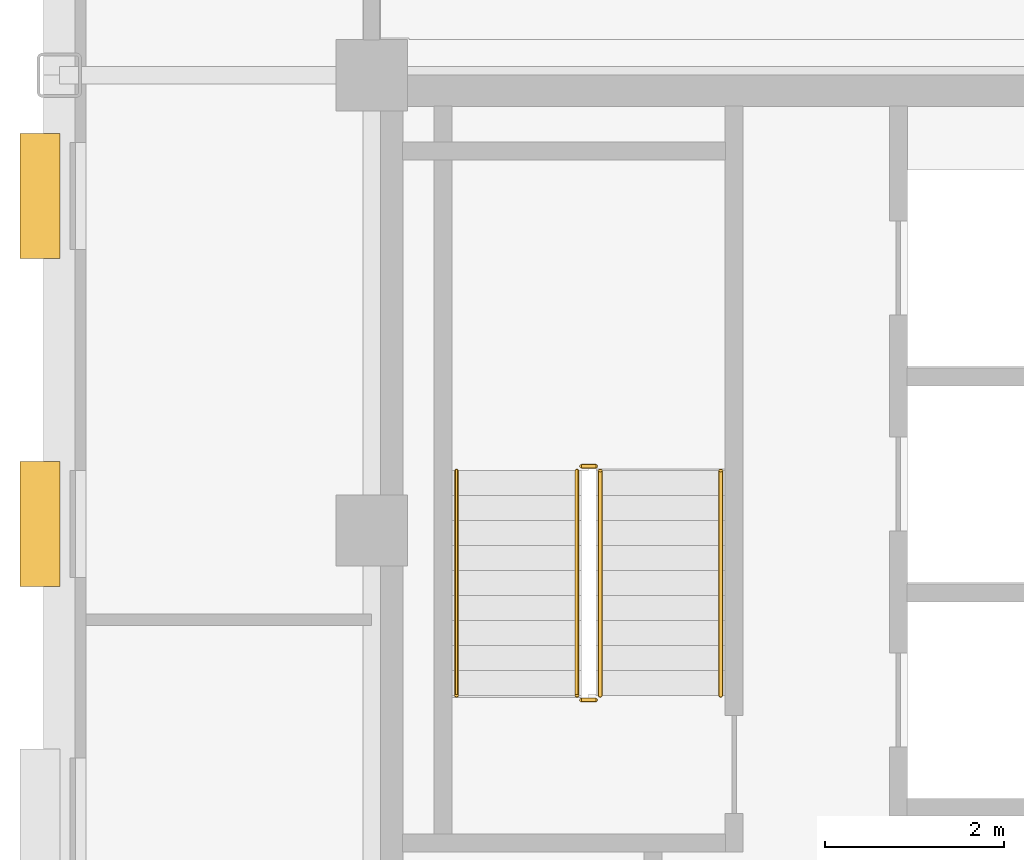
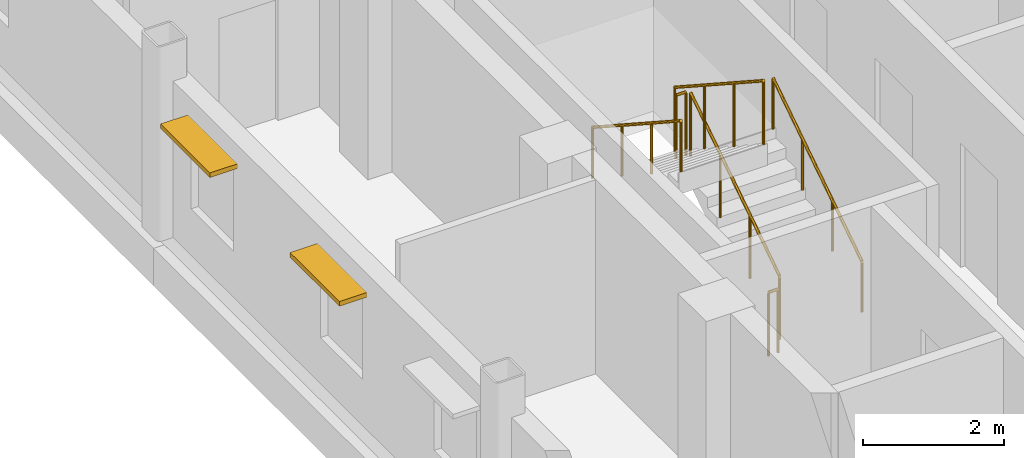
# One storey, part 11 of 13: 6 railings, 2 shading devices.
"""IFC4 building model written with IfcOpenShell, lengths in metres."""

from ifc_helpers import new_model, si_unit, direction, frame, origin, origin_2d, place, context, subcontext, project, spatial, rectangle, circle, extrude, source, transform, mapped, material, type_object, type_shapes, element, save


model = new_model("IFC4")

# Units and contexts
model_context = context("Model", 3, precision=1e-05, world=origin(), true_north=direction((0.0, 1.0)))
body_context = subcontext(model_context, "Body", "Model", "MODEL_VIEW")
ifc_project = project(units=[si_unit("LENGTHUNIT", "METRE"), si_unit("AREAUNIT", "SQUARE_METRE"), si_unit("VOLUMEUNIT", "CUBIC_METRE"), si_unit("PLANEANGLEUNIT", "RADIAN"), si_unit("MASSUNIT", "GRAM", prefix="KILO")], contexts=[model_context])

# Site, building, storey
site_placement = place(None, origin())
site = spatial("IfcSite", under=ifc_project, at=site_placement, CompositionType="ELEMENT")
building_placement = place(site_placement, origin())
building = spatial("IfcBuilding", under=site, at=building_placement, Name="Nuvemarco Arch Tower", CompositionType="ELEMENT")
storey_placement = place(building_placement, frame((0.0, 0.0, 265.25)))
storey = spatial("IfcBuildingStorey", under=building, at=storey_placement, Name="L70", CompositionType="ELEMENT", Elevation=265.25)

# Railings
ifc_material_1 = material(Name="Brushed stainless steel handrail", Category="steel")
railing_type_1 = type_object("IfcRailingType", Name="RL-HANDRAIL-900", PredefinedType="HANDRAIL", material=ifc_material_1)
railing_1_placement = place(storey_placement, frame((-13.590087890625, 2.64990234375, 0.1826171875)))
element("IfcRailing", 1, at=railing_1_placement, inside=storey, type_object=railing_type_1, Name="L70 ST-1 stair handrail 1", PredefinedType="HANDRAIL", context=body_context, shape_type="SweptSolid", body=[
    extrude(circle(Radius=0.02392578125, at=origin_2d()), frame((0.0, 0.0, 0.8759765625), z_axis=(0.0, 0.837786554691, 0.545997883492), x_axis=(-1.0, 0.0, 0.0)), (0.0, 0.0, 1.0), 3.008056640625),
    extrude(circle(Radius=0.02099609375, at=origin_2d()), origin(), (0.0, 0.0, 1.0), 0.851806640625),
    extrude(circle(Radius=0.02099609375, at=origin_2d()), frame((0.0, 0.840087890625, 0.54736328125)), (0.0, 0.0, 1.0), 0.851806640625),
    extrude(circle(Radius=0.02099609375, at=origin_2d()), frame((0.0, 1.679931640625, 1.094970703125)), (0.0, 0.0, 1.0), 0.851806640625),
    extrude(circle(Radius=0.02099609375, at=origin_2d()), frame((0.0, 2.52001953125, 1.642333984375)), (0.0, 0.0, 1.0), 0.851806640625),
])
railing_2_placement = place(storey_placement, frame((-16.550048828125, 5.169921875, 2.007568359375)))
element("IfcRailing", 2, at=railing_2_placement, inside=storey, type_object=railing_type_1, Name="L70 ST-1 stair handrail 2", PredefinedType="HANDRAIL", context=body_context, shape_type="SweptSolid", body=[
    extrude(circle(Radius=0.02392578125, at=origin_2d()), frame((0.0, 0.0, 0.8759765625), z_axis=(0.0, -0.837786554691, 0.545997883492), x_axis=(1.0, 0.0, 0.0)), (0.0, 0.0, 1.0), 3.008056640625),
    extrude(circle(Radius=0.02099609375, at=origin_2d()), origin(), (0.0, 0.0, 1.0), 0.851806640625),
    extrude(circle(Radius=0.02099609375, at=origin_2d()), frame((0.0, -0.840087890625, 0.54736328125)), (0.0, 0.0, 1.0), 0.851806640625),
    extrude(circle(Radius=0.02099609375, at=origin_2d()), frame((0.0, -1.679931640625, 1.094970703125)), (0.0, 0.0, 1.0), 0.851806640625),
    extrude(circle(Radius=0.02099609375, at=origin_2d()), frame((0.0, -2.52001953125, 1.642333984375)), (0.0, 0.0, 1.0), 0.851806640625),
])
ifc_material_2 = material(Name="Painted balustrade steel S355", Category="steel")
railing_type_2 = type_object("IfcRailingType", Name="RL-STAIR-GUARD", PredefinedType="GUARDRAIL", material=ifc_material_2)
railing_3_placement = place(storey_placement, frame((-14.93994140625, 2.64990234375, 0.1826171875)))
element("IfcRailing", 3, at=railing_3_placement, inside=storey, type_object=railing_type_2, Name="L70 ST-1 stair guard 1", PredefinedType="GUARDRAIL", context=body_context, shape_type="SweptSolid", body=[
    extrude(circle(Radius=0.02392578125, at=origin_2d()), frame((0.0, 0.0, 1.09619140625), z_axis=(0.0, 0.837786554691, 0.545997883492), x_axis=(-1.0, 0.0, 0.0)), (0.0, 0.0, 1.0), 3.008056640625),
    extrude(circle(Radius=0.02099609375, at=origin_2d()), origin(), (0.0, 0.0, 1.0), 1.072021484375),
    extrude(circle(Radius=0.02099609375, at=origin_2d()), frame((0.0, 0.840087890625, 0.54736328125)), (0.0, 0.0, 1.0), 1.072021484375),
    extrude(circle(Radius=0.02099609375, at=origin_2d()), frame((0.0, 1.679931640625, 1.094970703125)), (0.0, 0.0, 1.0), 1.072021484375),
    extrude(circle(Radius=0.02099609375, at=origin_2d()), frame((0.0, 2.52001953125, 1.642333984375)), (0.0, 0.0, 1.0), 1.072021484375),
])
railing_4_placement = place(storey_placement, frame((-14.989990234375, 5.219970703125, 1.824951171875)))
element("IfcRailing", 4, at=railing_4_placement, inside=storey, type_object=railing_type_2, Name="L70 ST-1 stair guard 2", PredefinedType="GUARDRAIL", context=body_context, shape_type="SweptSolid", body=[
    extrude(circle(Radius=0.02392578125, at=origin_2d()), frame((0.0, 0.0, 1.09619140625), z_axis=(-1.0, 0.0, 0.0), x_axis=(0.0, -1.0, 0.0)), (0.0, 0.0, 1.0), 0.159912109375),
    extrude(circle(Radius=0.02099609375, at=origin_2d()), origin(), (0.0, 0.0, 1.0), 1.072021484375),
    extrude(circle(Radius=0.02099609375, at=origin_2d()), frame((-0.159912109375, 0.0, 0.0)), (0.0, 0.0, 1.0), 1.072021484375),
])
railing_5_placement = place(storey_placement, frame((-15.199951171875, 5.169921875, 2.007568359375)))
element("IfcRailing", 5, at=railing_5_placement, inside=storey, type_object=railing_type_2, Name="L70 ST-1 stair guard 3", PredefinedType="GUARDRAIL", context=body_context, shape_type="SweptSolid", body=[
    extrude(circle(Radius=0.02392578125, at=origin_2d()), frame((0.0, 0.0, 1.09619140625), z_axis=(0.0, -0.837786554691, 0.545997883492), x_axis=(1.0, 0.0, 0.0)), (0.0, 0.0, 1.0), 3.008056640625),
    extrude(circle(Radius=0.02099609375, at=origin_2d()), origin(), (0.0, 0.0, 1.0), 1.072021484375),
    extrude(circle(Radius=0.02099609375, at=origin_2d()), frame((0.0, -0.840087890625, 0.54736328125)), (0.0, 0.0, 1.0), 1.072021484375),
    extrude(circle(Radius=0.02099609375, at=origin_2d()), frame((0.0, -1.679931640625, 1.094970703125)), (0.0, 0.0, 1.0), 1.072021484375),
    extrude(circle(Radius=0.02099609375, at=origin_2d()), frame((0.0, -2.52001953125, 1.642333984375)), (0.0, 0.0, 1.0), 1.072021484375),
])
railing_6_placement = place(storey_placement, frame((-14.989990234375, 2.60009765625, 0.0)))
element("IfcRailing", 6, at=railing_6_placement, inside=storey, type_object=railing_type_2, Name="L70 ST-1 stair guard 4", PredefinedType="GUARDRAIL", context=body_context, shape_type="SweptSolid", body=[
    extrude(circle(Radius=0.02392578125, at=origin_2d()), frame((0.0, 0.0, 1.09619140625), z_axis=(-1.0, 0.0, 0.0), x_axis=(0.0, -1.0, 0.0)), (0.0, 0.0, 1.0), 0.159912109375),
    extrude(circle(Radius=0.02099609375, at=origin_2d()), origin(), (0.0, 0.0, 1.0), 1.072021484375),
    extrude(circle(Radius=0.02099609375, at=origin_2d()), frame((-0.159912109375, 0.0, 0.0)), (0.0, 0.0, 1.0), 1.072021484375),
])

# Shading devices
ifc_material_3 = material(Name="Anodised aluminium 6063-T6", Category="aluminium")
shading_device_type = type_object("IfcShadingDeviceType", Name="SHD-BRISE-NARROW", PredefinedType="USERDEFINED", material=ifc_material_3)
shared_shape = source(origin(), body_context, "Body", "SweptSolid", [
    extrude(rectangle(XDim=1.39990234375, YDim=0.449951171875, at=origin_2d()), origin(), (0.0, 0.0, 1.0), 0.080078125),
])
type_shapes(shading_device_type, [shared_shape])
for number, where, z_axis, x_axis, name in (
    (7, (-21.215087890625, 4.572509765625, 2.284912109375), (0.0, 0.0, 1.0), (0.0, 1.0, 0.0), "L70 horizontal brise-soleil sunshade"),
    (8, (-21.215087890625, 8.2451171875, 2.284912109375), (0.0, 0.0, 1.0), (0.0, 1.0, 0.0), "L70 horizontal brise-soleil sunshade"),
):
    element("IfcShadingDevice", number, at=place(storey_placement, frame(where, z_axis=z_axis, x_axis=x_axis)), inside=storey, type_object=shading_device_type, Name=name, ObjectType="SUNSHADE", PredefinedType="USERDEFINED", context=body_context, shape_type="MappedRepresentation", body=[
        mapped(shared_shape, transform((0.0, 0.0, 0.0), scale=1.0)),
    ])

save(model, "model.ifc")
